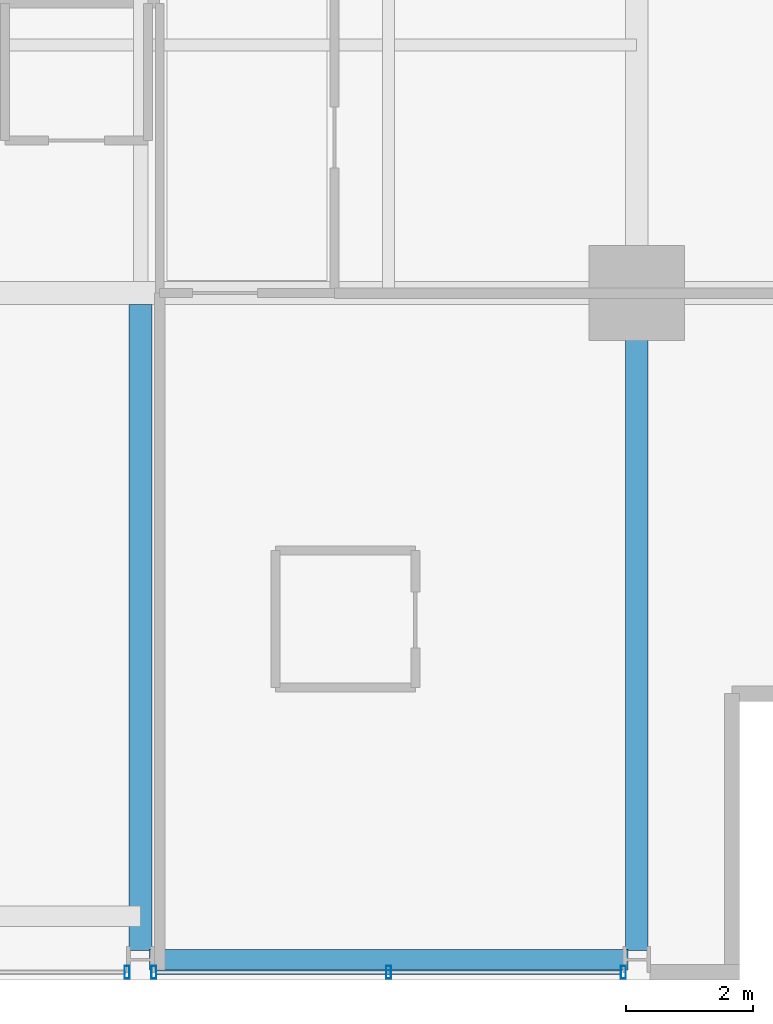
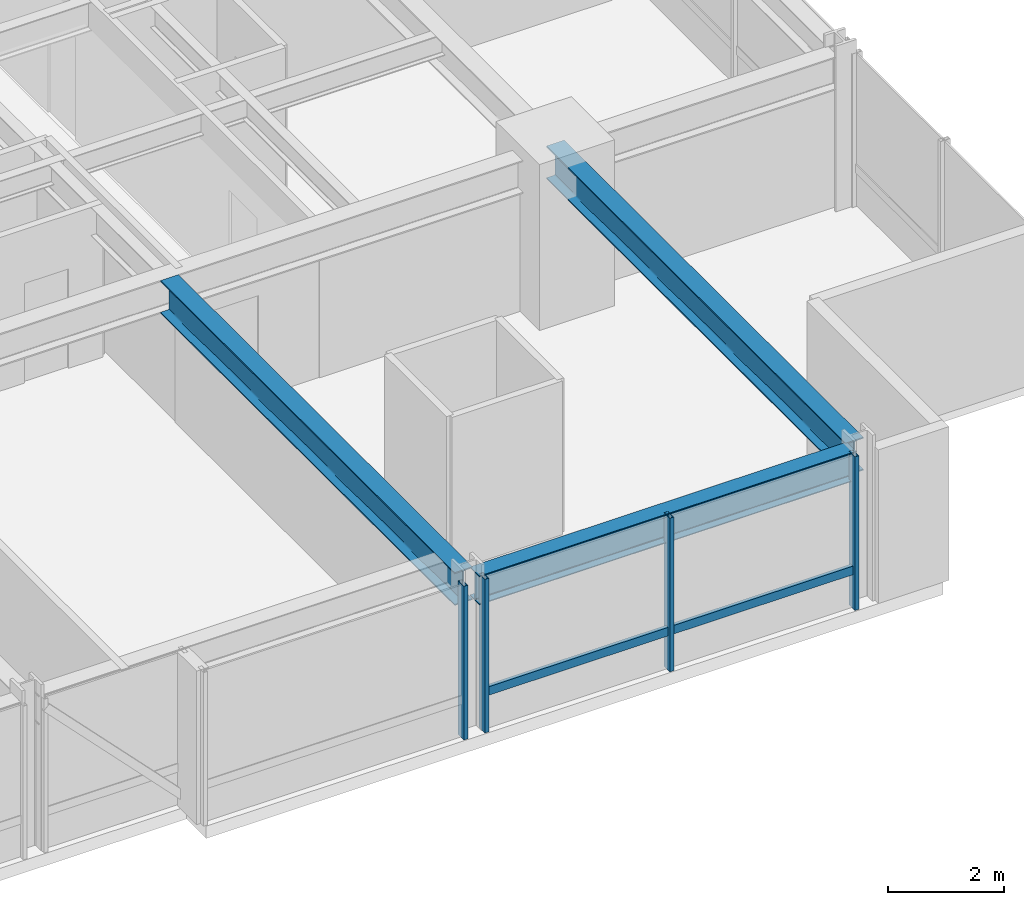
# One storey, part 11 of 35: 5 members, 3 beams, 2 elements without a shape of their own.
"""IFC4 building model written with IfcOpenShell, lengths in metres."""

from ifc_helpers import new_model, si_unit, direction, frame, origin, origin_2d, place, context, subcontext, project, spatial, hollow_rectangle, i_section, extrude, material, layer, layer_set, material_profile, profile_set, type_object, element, aggregate, save


model = new_model("IFC4")

# Units and contexts
model_context = context("Model", 3, precision=1e-05, world=origin(), true_north=direction((0.0, 1.0)))
body_context = subcontext(model_context, "Body", "Model", "MODEL_VIEW")
ifc_project = project(units=[si_unit("LENGTHUNIT", "METRE"), si_unit("AREAUNIT", "SQUARE_METRE"), si_unit("VOLUMEUNIT", "CUBIC_METRE"), si_unit("PLANEANGLEUNIT", "RADIAN"), si_unit("MASSUNIT", "GRAM", prefix="KILO")], contexts=[model_context])

# Site, building, storey
site_placement = place(None, origin())
site = spatial("IfcSite", under=ifc_project, at=site_placement, CompositionType="ELEMENT")
building_placement = place(site_placement, origin())
building = spatial("IfcBuilding", under=site, at=building_placement, Name="Drelvath Grand Hotel", CompositionType="ELEMENT")
storey_placement = place(building_placement, frame((0.0, 0.0, 130.300048828125)))
storey = spatial("IfcBuildingStorey", under=building, at=storey_placement, Name="L33", CompositionType="ELEMENT", Elevation=130.300048828125)

# Curtain wall, member
ifc_material_1 = material(Name="Champagne Bronze Anodised Aluminium Frame", Category="aluminium")
ifc_layer = layer(ifc_material_1, 0.199951171875)
ifc_layer_set = layer_set([ifc_layer], Name="Champagne Bronze Anodised Aluminium Frame")
curtain_wall_type = type_object("IfcCurtainWallType", Name="Stick Curtain Wall CW-03 Champagne Bronze Mid-Rise", PredefinedType="NOTDEFINED", material=ifc_layer_set)
curtain_wall_1_placement = place(storey_placement, origin())
curtain_wall_1 = element("IfcCurtainWall", 1, at=curtain_wall_1_placement, inside=storey, type_object=curtain_wall_type, Name="L33 CW-03 Curtain Wall CW03-L33-SE2", PredefinedType="NOTDEFINED")
ifc_material_profile_1 = material_profile(ifc_material_1, hollow_rectangle(XDim=0.074951171875, YDim=0.179931640625, WallThickness=0.0048828125, at=origin_2d()), Name="HSS180X75X5")
ifc_profile_set_1 = profile_set([ifc_material_profile_1], Name="Champagne Bronze Anodised Aluminium Frame")
member_type_1 = type_object("IfcMemberType", Name="Curtain Wall Horizontal Transom CW-03 HSS180X75X5", PredefinedType="USERDEFINED", material=ifc_profile_set_1)
member_1_placement = place(storey_placement, frame((15.95068359375, 0.1201171875, 0.81005859375), z_axis=(-1.0, 0.0, 0.0), x_axis=(0.0, -1.0, 0.0)))
member_1 = element("IfcMember", 2, at=member_1_placement, type_object=member_type_1, Name="CW03-L33-SE2 Sill Transom", ObjectType="TRANSOM", PredefinedType="USERDEFINED", context=body_context, shape_type="SweptSolid", body=[
    extrude(hollow_rectangle(XDim=0.074951171875, YDim=0.179931640625, WallThickness=0.0048828125, at=origin_2d()), origin(), (0.0, 0.0, 1.0), 7.30126953125),
])

curtain_wall_2_placement = place(storey_placement, origin())
curtain_wall_2 = element("IfcCurtainWall", 3, at=curtain_wall_2_placement, inside=storey, type_object=curtain_wall_type, Name="L33 CW-03 Curtain Wall CW03-L33-SE1", PredefinedType="NOTDEFINED")
ifc_material_profile_2 = material_profile(ifc_material_1, hollow_rectangle(XDim=0.080078125, YDim=0.199951171875, WallThickness=0.0048828125, at=origin_2d()), Name="HSS200X80X5")
ifc_profile_set_2 = profile_set([ifc_material_profile_2], Name="Champagne Bronze Anodised Aluminium Frame")
member_type_2 = type_object("IfcMemberType", Name="Curtain Wall Vertical Mullion CW-03 HSS200X80X5", PredefinedType="MULLION", material=ifc_profile_set_2)
member_2_placement = place(storey_placement, frame((8.190673828125, 0.1201171875, 0.0), z_axis=(0.0, 0.0, 1.0), x_axis=(1.0, 0.0, 0.0)))
member_2 = element("IfcMember", 4, at=member_2_placement, type_object=member_type_2, Name="CW03-L33-SE1 Mullion 1", PredefinedType="MULLION", context=body_context, shape_type="SweptSolid", body=[
    extrude(hollow_rectangle(XDim=0.080078125, YDim=0.199951171875, WallThickness=0.0048828125, at=origin_2d()), origin(), (0.0, 0.0, 1.0), 3.239990234375),
])
aggregate(curtain_wall_2, [member_2])

# Member
member_3_placement = place(storey_placement, frame((15.990478515625, 0.1201171875, 0.0), z_axis=(0.0, 0.0, 1.0), x_axis=(1.0, 0.0, 0.0)))
member_3 = element("IfcMember", 5, at=member_3_placement, type_object=member_type_2, Name="CW03-L33-SE2 Mullion 1", PredefinedType="MULLION", context=body_context, shape_type="SweptSolid", body=[
    extrude(hollow_rectangle(XDim=0.080078125, YDim=0.199951171875, WallThickness=0.0048828125, at=origin_2d()), origin(), (0.0, 0.0, 1.0), 3.239990234375),
])

member_4_placement = place(storey_placement, frame((12.300048828125, 0.1201171875, 0.0), z_axis=(0.0, 0.0, 1.0), x_axis=(1.0, 0.0, 0.0)))
member_4 = element("IfcMember", 6, at=member_4_placement, type_object=member_type_2, Name="CW03-L33-SE2 Mullion 2", PredefinedType="MULLION", context=body_context, shape_type="SweptSolid", body=[
    extrude(hollow_rectangle(XDim=0.080078125, YDim=0.199951171875, WallThickness=0.0048828125, at=origin_2d()), origin(), (0.0, 0.0, 1.0), 3.239990234375),
])

member_5_placement = place(storey_placement, frame((8.609375, 0.1201171875, 0.0), z_axis=(0.0, 0.0, 1.0), x_axis=(1.0, 0.0, 0.0)))
member_5 = element("IfcMember", 7, at=member_5_placement, type_object=member_type_2, Name="CW03-L33-SE2 Mullion 3", PredefinedType="MULLION", context=body_context, shape_type="SweptSolid", body=[
    extrude(hollow_rectangle(XDim=0.080078125, YDim=0.199951171875, WallThickness=0.0048828125, at=origin_2d()), origin(), (0.0, 0.0, 1.0), 3.239990234375),
])

aggregate(curtain_wall_1, [member_3, member_4, member_5, member_1])

# Beams
ifc_material_2 = material(Name="Steel ASTM A992 Gr 50", Category="steel")
ifc_material_profile_3 = material_profile(ifc_material_2, i_section(OverallWidth=0.323974609375, OverallDepth=0.611083984375, WebThickness=0.0126953125, FlangeThickness=0.01904296875, FilletRadius=0.02197265625, at=origin_2d()), Name="W24X104")
ifc_profile_set_3 = profile_set([ifc_material_profile_3], Name="Steel ASTM A992 Gr 50")
beam_type_1 = type_object("IfcBeamType", Name="Perimeter Spandrel Beam W24X104", PredefinedType="SPANDREL", material=ifc_profile_set_3)
beam_1_placement = place(storey_placement, frame((8.5400390625, 0.320068359375, 2.934326171875), z_axis=(1.0, 0.0, 0.0), x_axis=(0.0, 1.0, 0.0)))
element("IfcBeam", 8, at=beam_1_placement, inside=storey, type_object=beam_type_1, Name="L33 Spandrel South E", PredefinedType="SPANDREL", context=body_context, shape_type="SweptSolid", body=[
    extrude(i_section(OverallWidth=0.323974609375, OverallDepth=0.611083984375, WebThickness=0.0126953125, FlangeThickness=0.01904296875, FilletRadius=0.02197265625, at=origin_2d()), origin(), (0.0, 0.0, 1.0), 7.52001953125),
])
ifc_material_profile_4 = material_profile(ifc_material_2, i_section(OverallWidth=0.354736328125, OverallDepth=0.695556640625, WebThickness=0.015380859375, FlangeThickness=0.025146484375, FilletRadius=0.02392578125, at=origin_2d()), Name="W27X146")
ifc_profile_set_4 = profile_set([ifc_material_profile_4], Name="Steel ASTM A992 Gr 50")
beam_type_2 = type_object("IfcBeamType", Name="Primary Floor Girder W27X146", PredefinedType="BEAM", material=ifc_profile_set_4)
beam_2_placement = place(storey_placement, frame((16.199951171875, 0.4599609375, 2.892333984375), z_axis=(0.0, 1.0, 0.0), x_axis=(-1.0, 0.0, 0.0)))
element("IfcBeam", 9, at=beam_2_placement, inside=storey, type_object=beam_type_2, Name="L33 South Grid Girder 7", PredefinedType="BEAM", context=body_context, shape_type="SweptSolid", body=[
    extrude(i_section(OverallWidth=0.354736328125, OverallDepth=0.695556640625, WebThickness=0.015380859375, FlangeThickness=0.025146484375, FilletRadius=0.02392578125, at=origin_2d()), origin(), (0.0, 0.0, 1.0), 10.340087890625),
])
beam_3_placement = place(storey_placement, frame((8.39990234375, 0.4599609375, 2.892333984375), z_axis=(0.0, 1.0, 0.0), x_axis=(-1.0, 0.0, 0.0)))
element("IfcBeam", 10, at=beam_3_placement, inside=storey, type_object=beam_type_2, Name="L33 South Wing Girder 6", PredefinedType="BEAM", context=body_context, shape_type="SweptSolid", body=[
    extrude(i_section(OverallWidth=0.354736328125, OverallDepth=0.695556640625, WebThickness=0.015380859375, FlangeThickness=0.025146484375, FilletRadius=0.02392578125, at=origin_2d()), origin(), (0.0, 0.0, 1.0), 10.16259765625),
])

save(model, "model.ifc")
